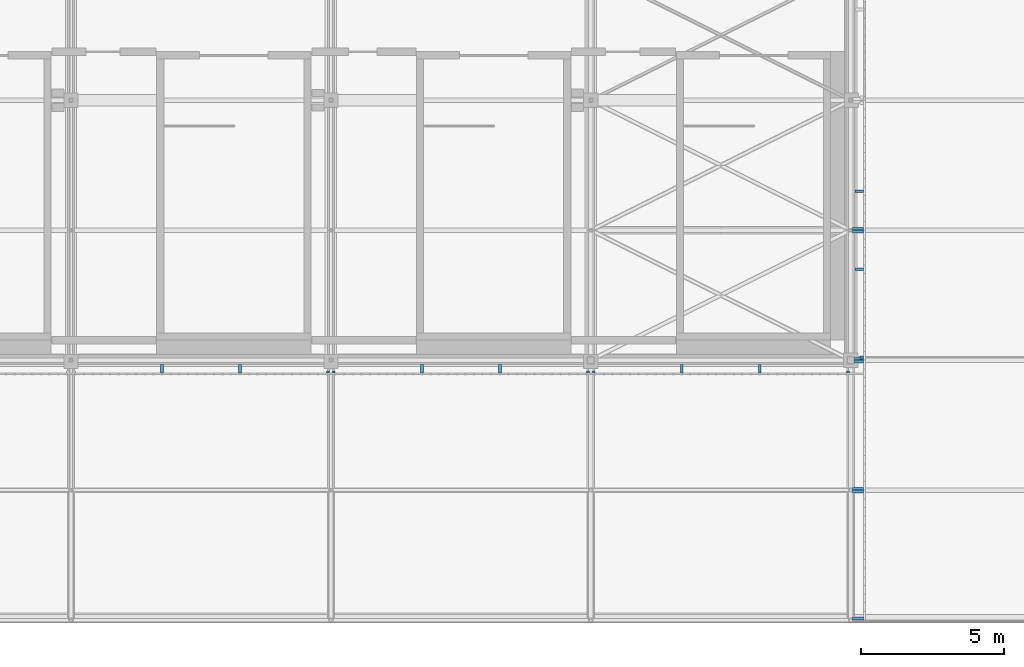
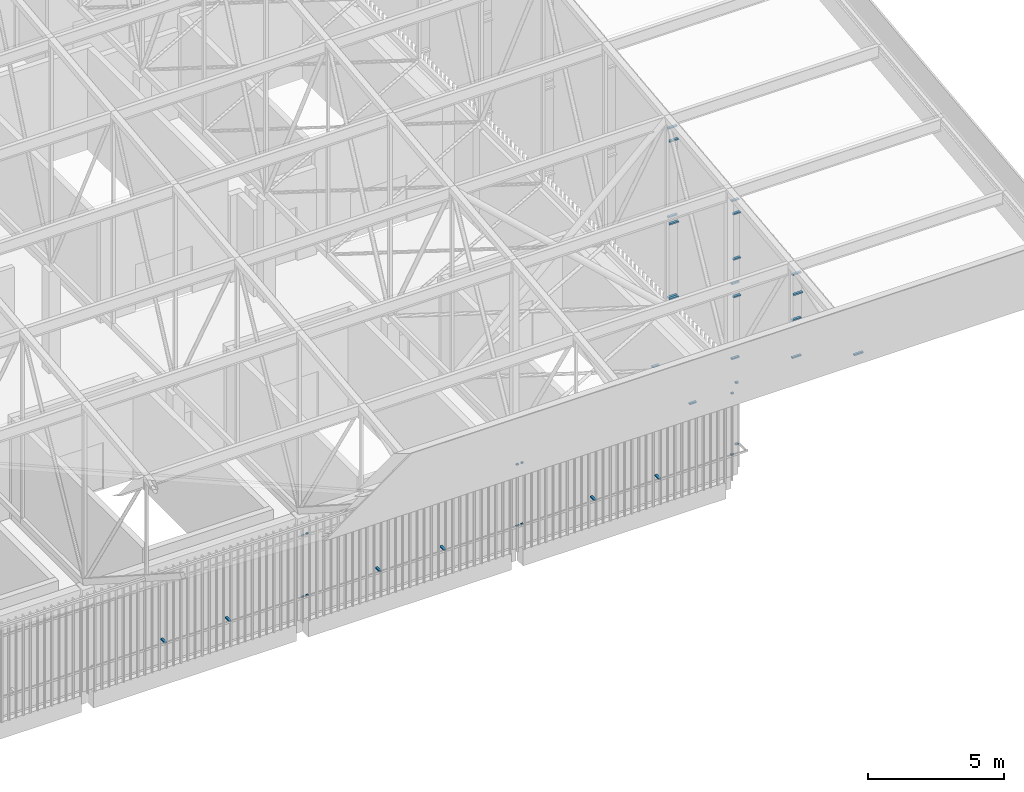
# One storey, part 450 of 500: 37 discrete accessories.
"""IFC4 building model written with IfcOpenShell, lengths in metres."""

import ifcopenshell
import ifcopenshell.guid

model = None  # the IFC model being written
_history = None  # IfcOwnerHistory: only IFC2X3 demands one
_inside = {}  # id of a spatial element -> (the spatial element, [elements in it])
_under = {}  # id of a project, library or spatial element -> (it, [spatial elements below it])
_declared = {}  # id of a project -> (the project, [libraries it declares])
_typed = {}  # id of a type object -> (the type object, [elements of that type])
_made_of = {}  # id of a material, layer set ... -> (it, [elements and type objects made of it])


def new_model(schema):
    """Start an empty IFC model of exactly this schema.

    Asked for "IFC4X3", IfcOpenShell would pick the latest addendum, in which some entities
    have other attributes; the version numbers below select the first issue.
    IFC2X3 requires an IfcOwnerHistory on every rooted entity: one is made here for all.
    """
    global model, _history
    if schema == "IFC4X3":
        model = ifcopenshell.file(schema_version=(4, 3, 0, 0))
    else:
        model = ifcopenshell.file(schema=schema)
    _inside.clear()
    _under.clear()
    _declared.clear()
    _typed.clear()
    _made_of.clear()
    _history = None
    if model.schema == "IFC2X3":
        org = make("IfcOrganization", Name="unknown")
        user = make(
            "IfcPersonAndOrganization",
            ThePerson=make("IfcPerson", FamilyName="unknown"),
            TheOrganization=org,
        )
        app = make(
            "IfcApplication",
            ApplicationDeveloper=org,
            Version="unknown",
            ApplicationFullName="unknown",
            ApplicationIdentifier="unknown",
        )
        _history = make(
            "IfcOwnerHistory",
            OwningUser=user,
            OwningApplication=app,
            ChangeAction="ADDED",
            CreationDate=0,
        )
    return model


def make(cls, **values):
    """One entity of the class cls with the attributes given. An attribute that is None is left unset."""
    return model.create_entity(
        cls, **{name: value for name, value in values.items() if value is not None}
    )


def rooted(cls, **values):
    """An entity with a GlobalId (a new one), such as an element, a storey or a relation."""
    return make(cls, GlobalId=ifcopenshell.guid.new(), OwnerHistory=_history, **values)


def si_unit(unit_type, name, prefix=None):
    """IfcSIUnit, for example si_unit("LENGTHUNIT", "METRE", prefix="MILLI")."""
    return make("IfcSIUnit", UnitType=unit_type, Prefix=prefix, Name=name)


def assignment(units):
    """IfcUnitAssignment: the units of a project."""
    return None if units is None else make("IfcUnitAssignment", Units=units)


def point(xyz):
    """IfcCartesianPoint."""
    return None if xyz is None else make("IfcCartesianPoint", Coordinates=xyz)


def direction(xyz):
    """IfcDirection."""
    return None if xyz is None else make("IfcDirection", DirectionRatios=xyz)


def frame(location, z_axis=None, x_axis=None):
    """IfcAxis2Placement3D, a coordinate frame: its origin and axes. An axis left out is left unset."""
    return make(
        "IfcAxis2Placement3D",
        Location=point(location),
        Axis=direction(z_axis),
        RefDirection=direction(x_axis),
    )


def frame_2d(location, x_axis=None):
    """IfcAxis2Placement2D, a coordinate frame in the plane: its origin and x axis."""
    return make(
        "IfcAxis2Placement2D", Location=point(location), RefDirection=direction(x_axis)
    )


def origin():
    """The frame at (0, 0, 0) with its axes left unset."""
    return frame((0.0, 0.0, 0.0))


def origin_2d():
    """The frame at (0, 0) in the plane with its x axis left unset."""
    return frame_2d((0.0, 0.0))


def place(relative_to, where):
    """IfcLocalPlacement: puts the frame where relative to a parent placement (None: the world)."""
    return make(
        "IfcLocalPlacement", PlacementRelTo=relative_to, RelativePlacement=where
    )


def context(
    kind, dimensions, precision=None, world=None, true_north=None, identifier=None
):
    """IfcGeometricRepresentationContext, for example the 3D "Model" context."""
    return make(
        "IfcGeometricRepresentationContext",
        ContextIdentifier=identifier,
        ContextType=kind,
        CoordinateSpaceDimension=dimensions,
        Precision=precision,
        WorldCoordinateSystem=world,
        TrueNorth=true_north,
    )


def subcontext(parent, identifier, kind, view, scale=None):
    """IfcGeometricRepresentationSubContext, for example "Body" below "Model"."""
    return make(
        "IfcGeometricRepresentationSubContext",
        ContextIdentifier=identifier,
        ContextType=kind,
        ParentContext=parent,
        TargetScale=scale,
        TargetView=view,
    )


def project(units=None, contexts=None):
    """IfcProject with its units and contexts."""
    return rooted(
        "IfcProject",
        Name="project",
        RepresentationContexts=contexts,
        UnitsInContext=assignment(units),
    )


def spatial(cls, under=None, at=None, **own):
    """A site, building, storey or space (cls), placed at a placement, below another one or the project."""
    s = rooted(cls, ObjectPlacement=at, **own)
    if under is not None:
        _under.setdefault(under.id(), (under, []))[1].append(s)
    return s


def profile(cls, at=None, kind="AREA", **sizes):
    """A parametric profile (cls). Its sizes go by their IFC names, for example OverallWidth=200.0."""
    return make(cls, ProfileType=kind, Position=at, **sizes)


def rectangle(**sizes):
    """IfcRectangleProfileDef."""
    return profile("IfcRectangleProfileDef", **sizes)


def extrude(swept, where, along, depth):
    """IfcExtrudedAreaSolid: the profile swept, set in the frame where, extruded along a direction by depth."""
    return make(
        "IfcExtrudedAreaSolid",
        SweptArea=swept,
        Position=where,
        ExtrudedDirection=direction(along),
        Depth=depth,
    )


def shape(context_of_items, identifier, shape_type, items):
    """IfcShapeRepresentation: the items that make up one representation, for example the "Body"."""
    return make(
        "IfcShapeRepresentation",
        ContextOfItems=context_of_items,
        RepresentationIdentifier=identifier,
        RepresentationType=shape_type,
        Items=items,
    )


def material(Name=None, Category=None):
    """IfcMaterial."""
    return make("IfcMaterial", Name=Name, Category=Category)


def made_of(thing, what):
    """Note that an element or type object is made of a material, layer set ...; save() writes the relation."""
    if what is not None:
        _made_of.setdefault(what.id(), (what, []))[1].append(thing)
    return thing


def type_object(cls, material=None, **own):
    """A type object (cls), such as IfcWallType, which elements share."""
    return made_of(rooted(cls, **own), material)


def element(
    cls,
    number,
    at=None,
    inside=None,
    cuts=None,
    type_object=None,
    material=None,
    context=None,
    identifier="Body",
    shape_type=None,
    held_by="IfcProductDefinitionShape",
    body=None,
    shapes=None,
    **own,
):
    """One element of the class cls, such as IfcWall. Its Tag is "e" and its number.

    at: its placement. inside: the storey or other place that contains it. cuts: it is an
    opening in that element (IfcRelVoidsElement). A single representation is given by context,
    identifier, shape_type and body (its items); several are given by shapes. held_by: the class
    of the entity that holds the representations. save() writes the other relations.
    """
    e = rooted(cls, Tag="e%d" % number, ObjectPlacement=at, **own)
    if body is not None:
        shapes = [shape(context, identifier, shape_type, body)]
    if shapes is not None:
        e.Representation = make(held_by, Representations=shapes)
    if inside is not None:
        _inside.setdefault(inside.id(), (inside, []))[1].append(e)
    if cuts is not None:
        rooted(
            "IfcRelVoidsElement", RelatingBuildingElement=cuts, RelatedOpeningElement=e
        )
    if type_object is not None:
        _typed.setdefault(type_object.id(), (type_object, []))[1].append(e)
    return made_of(e, material)


def aggregate(whole, parts):
    """IfcRelAggregates: a whole, such as a stair, and the parts it consists of."""
    return rooted("IfcRelAggregates", RelatingObject=whole, RelatedObjects=parts)


def save(model, path):
    """Write the relations noted so far, then the file.

    IfcRelAggregates (storeys below a building ...), IfcRelContainedInSpatialStructure (elements
    in a storey), IfcRelDefinesByType, IfcRelAssociatesMaterial and IfcRelDeclares: one each for
    every whole, place, type object, material and project.
    """
    for whole, parts in _under.values():
        aggregate(whole, parts)
    for where, things in _inside.values():
        rooted(
            "IfcRelContainedInSpatialStructure",
            RelatedElements=things,
            RelatingStructure=where,
        )
    for kind, things in _typed.values():
        rooted("IfcRelDefinesByType", RelatedObjects=things, RelatingType=kind)
    for what, things in _made_of.values():
        rooted("IfcRelAssociatesMaterial", RelatedObjects=things, RelatingMaterial=what)
    for by, libraries in _declared.values():
        rooted("IfcRelDeclares", RelatingContext=by, RelatedDefinitions=libraries)
    model.write(path)


model = new_model("IFC4")

# Units and contexts
model_context = context("Model", 3, precision=1e-05, world=origin(), true_north=direction((0.0, 1.0)))
body_context = subcontext(model_context, "Body", "Model", "MODEL_VIEW")
ifc_project = project(units=[si_unit("LENGTHUNIT", "METRE"), si_unit("AREAUNIT", "SQUARE_METRE"), si_unit("VOLUMEUNIT", "CUBIC_METRE"), si_unit("PLANEANGLEUNIT", "RADIAN"), si_unit("MASSUNIT", "GRAM", prefix="KILO")], contexts=[model_context])

# Site, building, storey
site_placement = place(None, origin())
site = spatial("IfcSite", under=ifc_project, at=site_placement, CompositionType="ELEMENT")
building_placement = place(site_placement, origin())
building = spatial("IfcBuilding", under=site, at=building_placement, Name="Shirokan Park Arena", CompositionType="ELEMENT")
storey_placement = place(building_placement, frame((0.0, 0.0, 29.1201171875)))
storey = spatial("IfcBuildingStorey", under=building, at=storey_placement, Name="L06", CompositionType="ELEMENT", Elevation=29.1201171875)

# Discrete accessories
ifc_material = material(Name="Steel S355", Category="steel")
discrete_accessory_type = type_object("IfcDiscreteAccessoryType", Name="Veil bracket 100x60", PredefinedType="BRACKET", material=ifc_material)
for number, where, z_axis, x_axis, name in (
    (1, (127.300048828125, -0.409912109375, 1.06982421875), (0.0, 0.0, 1.0), (1.0, 0.0, 0.0), "Veil bracket south bay 14 L06 2"),
    (2, (127.300048828125, -0.409912109375, 3.81982421875), (0.0, 0.0, 1.0), (1.0, 0.0, 0.0), "Veil bracket south bay 14 L06 4"),
):
    element("IfcDiscreteAccessory", number, at=place(storey_placement, frame(where, z_axis=z_axis, x_axis=x_axis)), inside=storey, type_object=discrete_accessory_type, Name=name, PredefinedType="BRACKET", context=body_context, shape_type="SweptSolid", body=[
        extrude(rectangle(XDim=0.10009765625, YDim=0.070068359375, at=origin_2d()), origin(), (0.0, 0.0, 1.0), 0.06005859375),
    ])
for number, where, z_axis, x_axis, name in (
    (3, (121.485107421875, -0.297607421875, 1.06982421875), (0.0, 0.0, 1.0), (1.0, 0.0, 0.0), "Veil bracket south bay 14 L06 wall 1"),
    (4, (124.215087890625, -0.297607421875, 1.06982421875), (0.0, 0.0, 1.0), (1.0, 0.0, 0.0), "Veil bracket south bay 14 L06 wall 2"),
):
    element("IfcDiscreteAccessory", number, at=place(storey_placement, frame(where, z_axis=z_axis, x_axis=x_axis)), inside=storey, type_object=discrete_accessory_type, Name=name, PredefinedType="BRACKET", context=body_context, shape_type="SweptSolid", body=[
        extrude(rectangle(XDim=0.10009765625, YDim=0.294921875, at=origin_2d()), origin(), (0.0, 0.0, 1.0), 0.06005859375),
    ])
for number, where, z_axis, x_axis, name in (
    (5, (127.5, -0.409912109375, 1.06982421875), (0.0, 0.0, 1.0), (1.0, 0.0, 0.0), "Veil bracket south bay 15 L06 1"),
    (6, (136.39990234375, -0.409912109375, 1.06982421875), (0.0, 0.0, 1.0), (1.0, 0.0, 0.0), "Veil bracket south bay 15 L06 2"),
    (7, (127.5, -0.409912109375, 3.81982421875), (0.0, 0.0, 1.0), (1.0, 0.0, 0.0), "Veil bracket south bay 15 L06 3"),
    (8, (136.39990234375, -0.409912109375, 3.81982421875), (0.0, 0.0, 1.0), (1.0, 0.0, 0.0), "Veil bracket south bay 15 L06 4"),
):
    element("IfcDiscreteAccessory", number, at=place(storey_placement, frame(where, z_axis=z_axis, x_axis=x_axis)), inside=storey, type_object=discrete_accessory_type, Name=name, PredefinedType="BRACKET", context=body_context, shape_type="SweptSolid", body=[
        extrude(rectangle(XDim=0.10009765625, YDim=0.070068359375, at=origin_2d()), origin(), (0.0, 0.0, 1.0), 0.06005859375),
    ])
for number, where, z_axis, x_axis, name in (
    (9, (130.5849609375, -0.297607421875, 1.06982421875), (0.0, 0.0, 1.0), (1.0, 0.0, 0.0), "Veil bracket south bay 15 L06 wall 1"),
    (10, (133.31494140625, -0.297607421875, 1.06982421875), (0.0, 0.0, 1.0), (1.0, 0.0, 0.0), "Veil bracket south bay 15 L06 wall 2"),
):
    element("IfcDiscreteAccessory", number, at=place(storey_placement, frame(where, z_axis=z_axis, x_axis=x_axis)), inside=storey, type_object=discrete_accessory_type, Name=name, PredefinedType="BRACKET", context=body_context, shape_type="SweptSolid", body=[
        extrude(rectangle(XDim=0.10009765625, YDim=0.294921875, at=origin_2d()), origin(), (0.0, 0.0, 1.0), 0.06005859375),
    ])
for number, where, z_axis, x_axis, name in (
    (11, (136.60009765625, -0.409912109375, 1.06982421875), (0.0, 0.0, 1.0), (1.0, 0.0, 0.0), "Veil bracket south bay 16 L06 1"),
    (12, (145.5, -0.409912109375, 1.06982421875), (0.0, 0.0, 1.0), (1.0, 0.0, 0.0), "Veil bracket south bay 16 L06 2"),
    (13, (136.60009765625, -0.409912109375, 3.81982421875), (0.0, 0.0, 1.0), (1.0, 0.0, 0.0), "Veil bracket south bay 16 L06 3"),
    (14, (145.5, -0.409912109375, 3.81982421875), (0.0, 0.0, 1.0), (1.0, 0.0, 0.0), "Veil bracket south bay 16 L06 4"),
):
    element("IfcDiscreteAccessory", number, at=place(storey_placement, frame(where, z_axis=z_axis, x_axis=x_axis)), inside=storey, type_object=discrete_accessory_type, Name=name, PredefinedType="BRACKET", context=body_context, shape_type="SweptSolid", body=[
        extrude(rectangle(XDim=0.10009765625, YDim=0.070068359375, at=origin_2d()), origin(), (0.0, 0.0, 1.0), 0.06005859375),
    ])
for number, where, z_axis, x_axis, name in (
    (15, (139.68505859375, -0.297607421875, 1.06982421875), (0.0, 0.0, 1.0), (1.0, 0.0, 0.0), "Veil bracket south bay 16 L06 wall 1"),
    (16, (142.4150390625, -0.297607421875, 1.06982421875), (0.0, 0.0, 1.0), (1.0, 0.0, 0.0), "Veil bracket south bay 16 L06 wall 2"),
):
    element("IfcDiscreteAccessory", number, at=place(storey_placement, frame(where, z_axis=z_axis, x_axis=x_axis)), inside=storey, type_object=discrete_accessory_type, Name=name, PredefinedType="BRACKET", context=body_context, shape_type="SweptSolid", body=[
        extrude(rectangle(XDim=0.10009765625, YDim=0.294921875, at=origin_2d()), origin(), (0.0, 0.0, 1.0), 0.06005859375),
    ])
for number, where, z_axis, x_axis, name in (
    (17, (145.985107421875, 0.10009765625, 1.06982421875), (0.0, 0.0, 1.0), (0.0, 1.0, 0.0), "Veil bracket east bay 1 L06 1"),
    (18, (145.985107421875, 0.10009765625, 3.81982421875), (0.0, 0.0, 1.0), (0.0, 1.0, 0.0), "Veil bracket east bay 1 L06 3"),
):
    element("IfcDiscreteAccessory", number, at=place(storey_placement, frame(where, z_axis=z_axis, x_axis=x_axis)), inside=storey, type_object=discrete_accessory_type, Name=name, PredefinedType="BRACKET", context=body_context, shape_type="SweptSolid", body=[
        extrude(rectangle(XDim=0.10009765625, YDim=0.1201171875, at=origin_2d()), origin(), (0.0, 0.0, 1.0), 0.06005859375),
    ])
for number, where, z_axis, x_axis, name in (
    (19, (145.8974609375, 3.18505859375, 1.06982421875), (0.0, 0.0, 1.0), (0.0, 1.0, 0.0), "Veil bracket east bay 1 L06 wall 1"),
    (20, (145.8974609375, 5.9150390625, 1.06982421875), (0.0, 0.0, 1.0), (0.0, 1.0, 0.0), "Veil bracket east bay 1 L06 wall 2"),
):
    element("IfcDiscreteAccessory", number, at=place(storey_placement, frame(where, z_axis=z_axis, x_axis=x_axis)), inside=storey, type_object=discrete_accessory_type, Name=name, PredefinedType="BRACKET", context=body_context, shape_type="SweptSolid", body=[
        extrude(rectangle(XDim=0.10009765625, YDim=0.294921875, at=origin_2d()), origin(), (0.0, 0.0, 1.0), 0.06005859375),
    ])
for number, where, z_axis, x_axis, name in (
    (21, (145.85107421875, -9.050048828125, 10.712646484375), (0.0, 0.0, 1.0), (1.0, 0.0, 0.0), "Veil bracket gable band east bay 1 1"),
    (22, (145.85107421875, -4.60009765625, 10.712646484375), (0.0, 0.0, 1.0), (1.0, 0.0, 0.0), "Veil bracket gable band east bay 1 2"),
    (23, (145.85107421875, -4.5, 7.82568359375), (0.0, 0.0, 1.0), (1.0, 0.0, 0.0), "Veil bracket gable band east bay 2 1"),
    (24, (145.85107421875, -4.5, 9.5087890625), (0.0, 0.0, 1.0), (1.0, 0.0, 0.0), "Veil bracket gable band east bay 2 2"),
    (25, (145.85107421875, -4.5, 11.541748046875), (0.0, 0.0, 1.0), (1.0, 0.0, 0.0), "Veil bracket gable band east bay 2 3"),
):
    element("IfcDiscreteAccessory", number, at=place(storey_placement, frame(where, z_axis=z_axis, x_axis=x_axis)), inside=storey, type_object=discrete_accessory_type, Name=name, PredefinedType="BRACKET", context=body_context, shape_type="SweptSolid", body=[
        extrude(rectangle(XDim=0.387939453125, YDim=0.10009765625, at=origin_2d()), origin(), (0.0, 0.0, 1.0), 0.06005859375),
    ])
for number, where, z_axis, x_axis, name in (
    (26, (145.885986328125, -0.050048828125, 7.82568359375), (0.0, 0.0, 1.0), (1.0, 0.0, 0.0), "Veil bracket gable band east bay 2 4"),
    (27, (145.885986328125, -0.050048828125, 9.5087890625), (0.0, 0.0, 1.0), (1.0, 0.0, 0.0), "Veil bracket gable band east bay 2 5"),
    (28, (145.885986328125, -0.050048828125, 11.541748046875), (0.0, 0.0, 1.0), (1.0, 0.0, 0.0), "Veil bracket gable band east bay 2 6"),
    (29, (145.885986328125, 0.050048828125, 4.995849609375), (0.0, 0.0, 1.0), (1.0, 0.0, 0.0), "Veil bracket gable band east bay 3 1"),
    (30, (145.885986328125, 0.050048828125, 8.353759765625), (0.0, 0.0, 1.0), (1.0, 0.0, 0.0), "Veil bracket gable band east bay 3 2"),
    (31, (145.885986328125, 0.050048828125, 12.061767578125), (0.0, 0.0, 1.0), (1.0, 0.0, 0.0), "Veil bracket gable band east bay 3 3"),
):
    element("IfcDiscreteAccessory", number, at=place(storey_placement, frame(where, z_axis=z_axis, x_axis=x_axis)), inside=storey, type_object=discrete_accessory_type, Name=name, PredefinedType="BRACKET", context=body_context, shape_type="SweptSolid", body=[
        extrude(rectangle(XDim=0.318115234375, YDim=0.10009765625, at=origin_2d()), origin(), (0.0, 0.0, 1.0), 0.06005859375),
    ])
for number, where, z_axis, x_axis, name in (
    (32, (145.85107421875, 4.5, 4.995849609375), (0.0, 0.0, 1.0), (1.0, 0.0, 0.0), "Veil bracket gable band east bay 3 4"),
    (33, (145.85107421875, 4.5, 8.353759765625), (0.0, 0.0, 1.0), (1.0, 0.0, 0.0), "Veil bracket gable band east bay 3 5"),
    (34, (145.85107421875, 4.5, 12.061767578125), (0.0, 0.0, 1.0), (1.0, 0.0, 0.0), "Veil bracket gable band east bay 3 6"),
    (35, (145.85107421875, 4.60009765625, 4.995849609375), (0.0, 0.0, 1.0), (1.0, 0.0, 0.0), "Veil bracket gable band east bay 4 1"),
    (36, (145.85107421875, 4.60009765625, 8.61376953125), (0.0, 0.0, 1.0), (1.0, 0.0, 0.0), "Veil bracket gable band east bay 4 2"),
    (37, (145.85107421875, 4.60009765625, 12.581787109375), (0.0, 0.0, 1.0), (1.0, 0.0, 0.0), "Veil bracket gable band east bay 4 3"),
):
    element("IfcDiscreteAccessory", number, at=place(storey_placement, frame(where, z_axis=z_axis, x_axis=x_axis)), inside=storey, type_object=discrete_accessory_type, Name=name, PredefinedType="BRACKET", context=body_context, shape_type="SweptSolid", body=[
        extrude(rectangle(XDim=0.387939453125, YDim=0.10009765625, at=origin_2d()), origin(), (0.0, 0.0, 1.0), 0.06005859375),
    ])

save(model, "model.ifc")
